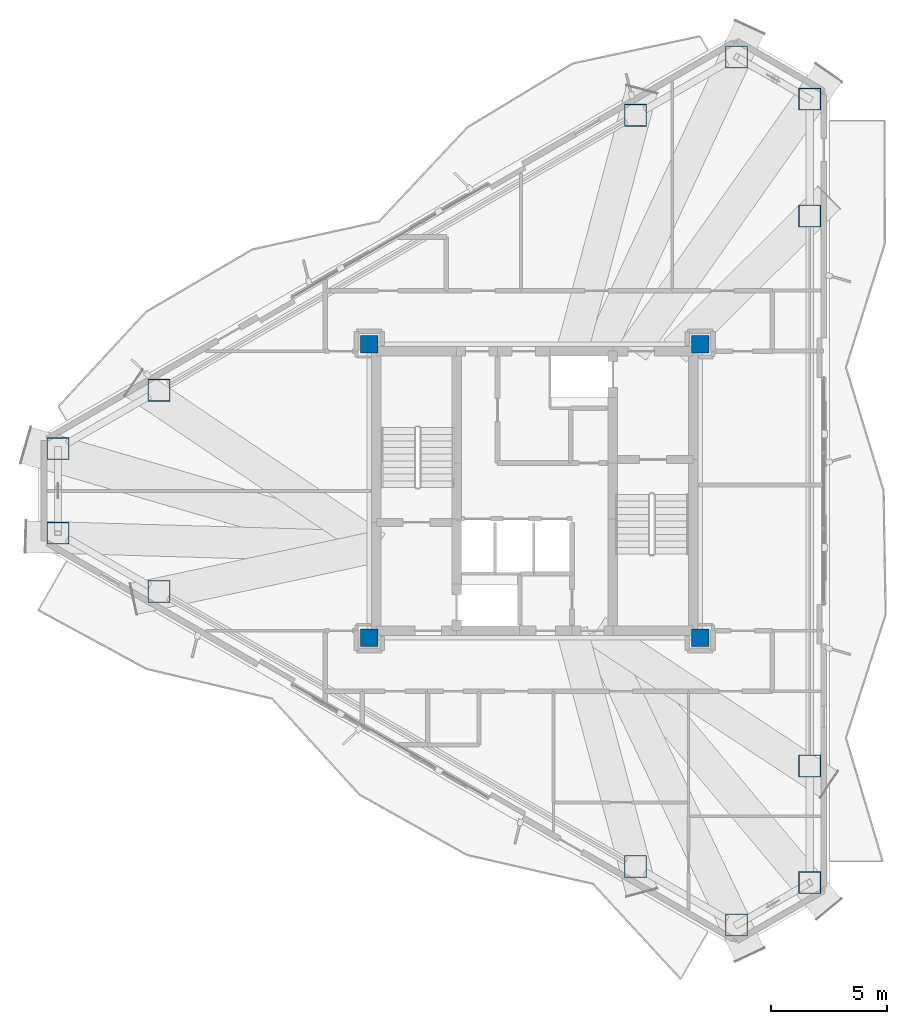
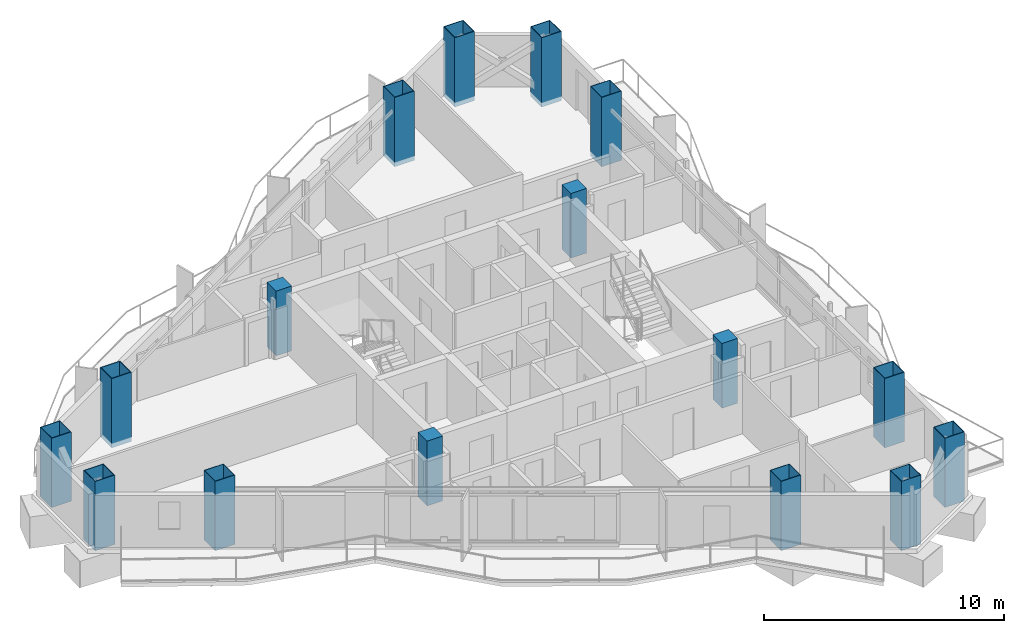
# One storey, part 1 of 22: 16 columns.
"""IFC4 building model written with IfcOpenShell, lengths in metres."""

from ifc_helpers import new_model, si_unit, direction, frame, origin, origin_2d, place, context, subcontext, project, spatial, rectangle, hollow_rectangle, extrude, material, material_profile, profile_set, type_object, element, save


model = new_model("IFC4")

# Units and contexts
model_context = context("Model", 3, precision=1e-05, world=origin(), true_north=direction((0.0, 1.0)))
body_context = subcontext(model_context, "Body", "Model", "MODEL_VIEW")
ifc_project = project(units=[si_unit("LENGTHUNIT", "METRE"), si_unit("AREAUNIT", "SQUARE_METRE"), si_unit("VOLUMEUNIT", "CUBIC_METRE"), si_unit("PLANEANGLEUNIT", "RADIAN"), si_unit("MASSUNIT", "GRAM", prefix="KILO")], contexts=[model_context])

# Site, building, storey
site_placement = place(None, origin())
site = spatial("IfcSite", under=ifc_project, at=site_placement, CompositionType="ELEMENT")
building_placement = place(site_placement, origin())
building = spatial("IfcBuilding", under=site, at=building_placement, Name="Mersakhor Tower and Convention Hall", CompositionType="ELEMENT")
storey_placement = place(building_placement, frame((0.0, 0.0, 167.39990234375)))
storey = spatial("IfcBuildingStorey", under=building, at=storey_placement, Name="L46", CompositionType="ELEMENT", Elevation=167.39990234375)

# Columns
ifc_material_1 = material(Name="Concrete C60/75 in S460M steel box", Category="concrete")
ifc_material_profile_1 = material_profile(ifc_material_1, hollow_rectangle(XDim=0.949951171875, YDim=0.949951171875, WallThickness=0.028076171875, at=origin_2d()), Name="SHS 950x950x28")
ifc_profile_set_1 = profile_set([ifc_material_profile_1], Name="Concrete C60/75 in S460M steel box")
column_type_1 = type_object("IfcColumnType", Name="COL-CFT-950", PredefinedType="COLUMN", material=ifc_profile_set_1)
for number, where, z_axis, x_axis, name in (
    (1, (8.533935546875, 28.563720703125, -0.22998046875), (0.0, 0.0, 1.0), (1.0, 0.0, 0.0), "L46 Perimeter Mega-Column MC-01"),
    (2, (12.8740234375, 31.069580078125, -0.22998046875), (0.0, 0.0, 1.0), (1.0, 0.0, 0.0), "L46 Perimeter Mega-Column MC-02"),
    (3, (33.322265625, 42.875244140625, -0.22998046875), (0.0, 0.0, 1.0), (1.0, 0.0, 0.0), "L46 Perimeter Mega-Column MC-03"),
    (4, (37.662353515625, 45.381103515625, -0.22998046875), (0.0, 0.0, 1.0), (1.0, 0.0, 0.0), "L46 Perimeter Mega-Column MC-04"),
    (5, (40.8037109375, 43.5673828125, -0.22998046875), (0.0, 0.0, 1.0), (1.0, 0.0, 0.0), "L46 Perimeter Mega-Column MC-05"),
    (6, (40.8037109375, 38.5556640625, -0.22998046875), (0.0, 0.0, 1.0), (1.0, 0.0, 0.0), "L46 Perimeter Mega-Column MC-06"),
    (7, (40.8037109375, 14.9443359375, -0.22998046875), (0.0, 0.0, 1.0), (1.0, 0.0, 0.0), "L46 Perimeter Mega-Column MC-07"),
    (8, (40.8037109375, 9.9326171875, -0.22998046875), (0.0, 0.0, 1.0), (1.0, 0.0, 0.0), "L46 Perimeter Mega-Column MC-08"),
    (9, (37.662353515625, 8.118896484375, -0.22998046875), (0.0, 0.0, 1.0), (1.0, 0.0, 0.0), "L46 Perimeter Mega-Column MC-09"),
    (10, (33.322265625, 10.624755859375, -0.22998046875), (0.0, 0.0, 1.0), (1.0, 0.0, 0.0), "L46 Perimeter Mega-Column MC-10"),
    (11, (12.8740234375, 22.430419921875, -0.22998046875), (0.0, 0.0, 1.0), (1.0, 0.0, 0.0), "L46 Perimeter Mega-Column MC-11"),
    (12, (8.533935546875, 24.936279296875, -0.22998046875), (0.0, 0.0, 1.0), (1.0, 0.0, 0.0), "L46 Perimeter Mega-Column MC-12"),
):
    element("IfcColumn", number, at=place(storey_placement, frame(where, z_axis=z_axis, x_axis=x_axis)), inside=storey, type_object=column_type_1, Name=name, PredefinedType="COLUMN", context=body_context, shape_type="SweptSolid", body=[
        extrude(hollow_rectangle(XDim=0.949951171875, YDim=0.949951171875, WallThickness=0.028076171875, at=origin_2d()), origin(), (0.0, 0.0, 1.0), 3.530029296875),
    ])
ifc_material_2 = material(Name="Concrete C50/60", Category="concrete")
ifc_material_profile_2 = material_profile(ifc_material_2, rectangle(XDim=0.75, YDim=0.75, at=origin_2d()), Name="RC 750x750")
ifc_profile_set_2 = profile_set([ifc_material_profile_2], Name="Concrete C50/60")
column_type_2 = type_object("IfcColumnType", Name="COL-RC-750", PredefinedType="COLUMN", material=ifc_profile_set_2)
for number, where, z_axis, x_axis, name in (
    (13, (21.89990234375, 20.449951171875, 0.0), (0.0, 0.0, 1.0), (1.0, 0.0, 0.0), "L46 Core Corner Column CC-1"),
    (14, (21.89990234375, 33.050048828125, 0.0), (0.0, 0.0, 1.0), (1.0, 0.0, 0.0), "L46 Core Corner Column CC-2"),
    (15, (36.10009765625, 33.050048828125, 0.0), (0.0, 0.0, 1.0), (1.0, 0.0, 0.0), "L46 Core Corner Column CC-3"),
    (16, (36.10009765625, 20.449951171875, 0.0), (0.0, 0.0, 1.0), (1.0, 0.0, 0.0), "L46 Core Corner Column CC-4"),
):
    element("IfcColumn", number, at=place(storey_placement, frame(where, z_axis=z_axis, x_axis=x_axis)), inside=storey, type_object=column_type_2, Name=name, PredefinedType="COLUMN", context=body_context, shape_type="SweptSolid", body=[
        extrude(rectangle(XDim=0.75, YDim=0.75, at=origin_2d()), origin(), (0.0, 0.0, 1.0), 3.300048828125),
    ])

save(model, "model.ifc")
